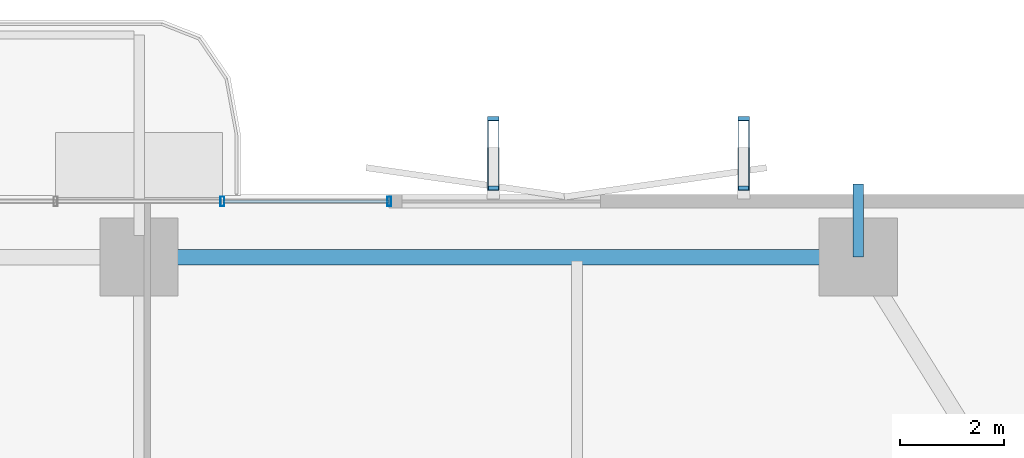
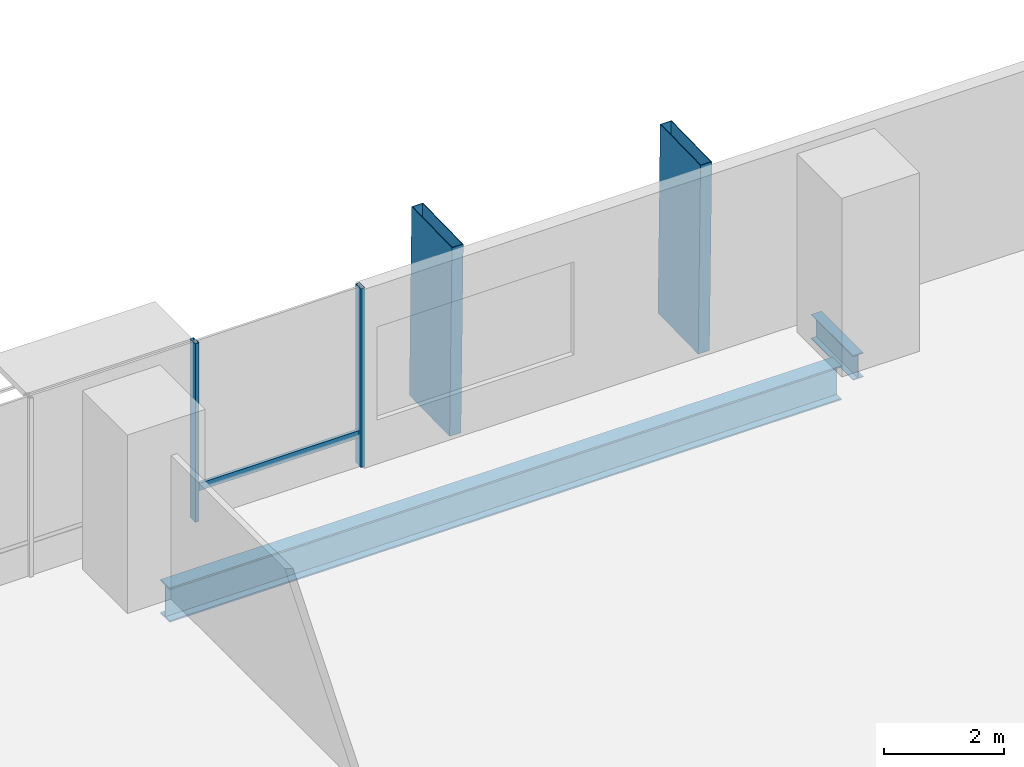
# One storey, part 15 of 24: 5 members, 2 beams, 1 element without a shape of its own.
"""IFC4 building model written with IfcOpenShell, lengths in metres."""

from ifc_helpers import new_model, si_unit, direction, frame, origin, origin_2d, place, context, subcontext, project, spatial, hollow_rectangle, i_section, extrude, material, layer, layer_set, material_profile, profile_set, type_object, element, aggregate, save


model = new_model("IFC4")

# Units and contexts
model_context = context("Model", 3, precision=1e-05, world=origin(), true_north=direction((0.0, 1.0)))
body_context = subcontext(model_context, "Body", "Model", "MODEL_VIEW")
ifc_project = project(units=[si_unit("LENGTHUNIT", "METRE"), si_unit("AREAUNIT", "SQUARE_METRE"), si_unit("VOLUMEUNIT", "CUBIC_METRE"), si_unit("PLANEANGLEUNIT", "RADIAN"), si_unit("MASSUNIT", "GRAM", prefix="KILO")], contexts=[model_context])

# Site, building, storey
site_placement = place(None, origin())
site = spatial("IfcSite", under=ifc_project, at=site_placement, CompositionType="ELEMENT")
building_placement = place(site_placement, origin())
building = spatial("IfcBuilding", under=site, at=building_placement, Name="Belovzor Exchange Tower", CompositionType="ELEMENT")
storey_placement = place(building_placement, frame((0.0, 0.0, 80.699951171875)))
storey = spatial("IfcBuildingStorey", under=building, at=storey_placement, Name="L19", CompositionType="ELEMENT", Elevation=80.699951171875)

# Members
ifc_material_1 = material(Name="Extruded Architectural Terracotta on Steel S355 Carrier", Category="masonry")
ifc_material_profile_1 = material_profile(ifc_material_1, hollow_rectangle(XDim=0.219970703125, YDim=1.35009765625, WallThickness=0.013916015625, at=origin_2d()))
ifc_profile_set_1 = profile_set([ifc_material_profile_1], Name="Extruded Architectural Terracotta on Steel S355 Carrier")
member_type_1 = type_object("IfcMemberType", Name="Base Arc Sweeping Terracotta Pylon Fin 1450", PredefinedType="USERDEFINED", material=ifc_profile_set_1)
for number, where, z_axis, x_axis, name in (
    (1, (35.60009765625, 57.528076171875, -0.25), (0.0, -0.020027281305, 0.999799433888), (1.0, 0.0, 0.0), "FIN-TC145 Terracotta Facade Fin L19 N3"),
    (2, (40.39990234375, 57.528076171875, -0.25), (0.0, -0.020027281305, 0.999799433888), (1.0, 0.0, 0.0), "FIN-TC145 Terracotta Facade Fin L19 N4"),
):
    element("IfcMember", number, at=place(storey_placement, frame(where, z_axis=z_axis, x_axis=x_axis)), inside=storey, type_object=member_type_1, Name=name, ObjectType="FIN", PredefinedType="USERDEFINED", context=body_context, shape_type="SweptSolid", body=[
        extrude(hollow_rectangle(XDim=0.219970703125, YDim=1.35009765625, WallThickness=0.013916015625, at=origin_2d()), origin(), (0.0, 0.0, 1.0), 3.90087890625),
    ])

# Beam
ifc_material_2 = material(Name="Steel S355", Category="steel")
ifc_material_profile_2 = material_profile(ifc_material_2, i_section(OverallWidth=0.199951171875, OverallDepth=0.5, WebThickness=0.01025390625, FlangeThickness=0.01611328125, at=origin_2d()))
ifc_profile_set_2 = profile_set([ifc_material_profile_2], Name="Steel S355")
beam_type_1 = type_object("IfcBeamType", Name="Planted Balcony Cantilever Beam IPE 500", PredefinedType="BEAM", material=ifc_profile_set_2)
beam_1_placement = place(storey_placement, frame((42.60009765625, 55.5, -0.5), z_axis=(0.0, 1.0, 0.0), x_axis=(-1.0, 0.0, 0.0)))
element("IfcBeam", 3, at=beam_1_placement, inside=storey, type_object=beam_type_1, Name="BC-500 Planted Balcony Cantilever Beam IPE 500", PredefinedType="BEAM", context=body_context, shape_type="SweptSolid", body=[
    extrude(i_section(OverallWidth=0.199951171875, OverallDepth=0.5, WebThickness=0.01025390625, FlangeThickness=0.01611328125, at=origin_2d()), origin(), (0.0, 0.0, 1.0), 1.39990234375),
])

# Curtain wall, members
ifc_material_3 = material(Name="Anodised Aluminium Framing", Category="aluminium")
ifc_layer = layer(ifc_material_3, 0.179931640625)
ifc_layer_set = layer_set([ifc_layer], Name="Anodised Aluminium Framing")
curtain_wall_type = type_object("IfcCurtainWallType", Name="Recessed Loggia Low-Iron Triple-Glazed Curtain Wall", PredefinedType="NOTDEFINED", material=ifc_layer_set)
curtain_wall_placement = place(storey_placement, origin())
curtain_wall = element("IfcCurtainWall", 4, at=curtain_wall_placement, inside=storey, type_object=curtain_wall_type, Name="CW3 Recessed Loggia Low-Iron Triple-Glazed Curtain Wall L19", PredefinedType="NOTDEFINED")
ifc_material_4 = material(Name="Steel S355", Category="steel")
ifc_material_profile_3 = material_profile(ifc_material_4, hollow_rectangle(XDim=0.074951171875, YDim=0.179931640625, WallThickness=0.0048828125, at=origin_2d()))
ifc_profile_set_3 = profile_set([ifc_material_profile_3], Name="Steel S355")
member_type_2 = type_object("IfcMemberType", Name="Thermally Broken Curtain Wall Mullion 180x75", PredefinedType="MULLION", material=ifc_profile_set_3)
member_1_placement = place(storey_placement, frame((30.39990234375, 56.570068359375, 0.0), z_axis=(0.0, 0.0, 1.0), x_axis=(1.0, 0.0, 0.0)))
member_1 = element("IfcMember", 5, at=member_1_placement, type_object=member_type_2, Name="CW-M180 Curtain Wall Mullion 3", PredefinedType="MULLION", context=body_context, shape_type="SweptSolid", body=[
    extrude(hollow_rectangle(XDim=0.074951171875, YDim=0.179931640625, WallThickness=0.0048828125, at=origin_2d()), origin(), (0.0, 0.0, 1.0), 3.650146484375),
])
member_2_placement = place(storey_placement, frame((33.60009765625, 56.570068359375, 0.0), z_axis=(0.0, 0.0, 1.0), x_axis=(1.0, 0.0, 0.0)))
member_2 = element("IfcMember", 6, at=member_2_placement, type_object=member_type_2, Name="CW-M180 Curtain Wall Mullion 4", PredefinedType="MULLION", context=body_context, shape_type="SweptSolid", body=[
    extrude(hollow_rectangle(XDim=0.074951171875, YDim=0.179931640625, WallThickness=0.0048828125, at=origin_2d()), origin(), (0.0, 0.0, 1.0), 3.650146484375),
])
ifc_material_5 = material(Name="Steel S355", Category="steel")
ifc_material_profile_4 = material_profile(ifc_material_5, hollow_rectangle(XDim=0.06005859375, YDim=0.14990234375, WallThickness=0.00390625, at=origin_2d()))
ifc_profile_set_4 = profile_set([ifc_material_profile_4], Name="Steel S355")
member_type_3 = type_object("IfcMemberType", Name="Thermally Broken Curtain Wall Transom 150x60", PredefinedType="USERDEFINED", material=ifc_profile_set_4)
member_3_placement = place(storey_placement, frame((30.407958984375, 56.570068359375, 0.650146484375), z_axis=(1.0, 0.0, 0.0), x_axis=(0.0, 1.0, 0.0)))
member_3 = element("IfcMember", 7, at=member_3_placement, type_object=member_type_3, Name="CW-T150 Curtain Wall Transom 3", ObjectType="TRANSOM", PredefinedType="USERDEFINED", context=body_context, shape_type="SweptSolid", body=[
    extrude(hollow_rectangle(XDim=0.06005859375, YDim=0.14990234375, WallThickness=0.00390625, at=origin_2d()), origin(), (0.0, 0.0, 1.0), 3.18408203125),
])
aggregate(curtain_wall, [member_1, member_2, member_3])

# Beam
ifc_material_6 = material(Name="Steel S355", Category="steel")
ifc_material_profile_5 = material_profile(ifc_material_6, i_section(OverallWidth=0.300048828125, OverallDepth=0.699951171875, WebThickness=0.01708984375, FlangeThickness=0.031982421875, at=origin_2d()))
ifc_profile_set_5 = profile_set([ifc_material_profile_5], Name="Steel S355")
beam_type_2 = type_object("IfcBeamType", Name="Zone 1 Primary Perimeter Girder HEB 700", PredefinedType="BEAM", material=ifc_profile_set_5)
beam_2_placement = place(storey_placement, frame((42.18798828125, 55.5, -0.599853515625), z_axis=(-1.0, 0.0, 0.0), x_axis=(0.0, -1.0, 0.0)))
element("IfcBeam", 8, at=beam_2_placement, inside=storey, type_object=beam_type_2, Name="FG-Z1 Zone 1 Primary Perimeter Girder HEB 700", PredefinedType="BEAM", context=body_context, shape_type="SweptSolid", body=[
    extrude(i_section(OverallWidth=0.300048828125, OverallDepth=0.699951171875, WebThickness=0.01708984375, FlangeThickness=0.031982421875, at=origin_2d()), origin(), (0.0, 0.0, 1.0), 12.97509765625),
])

save(model, "model.ifc")
